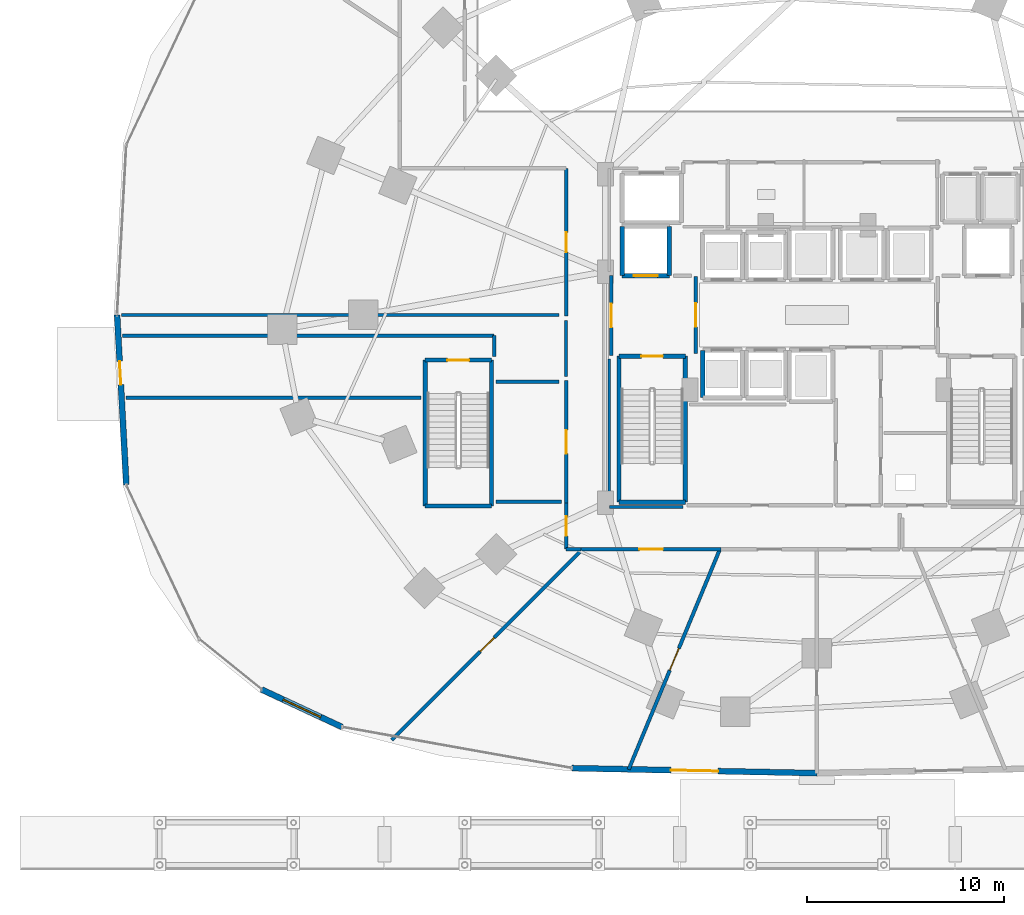
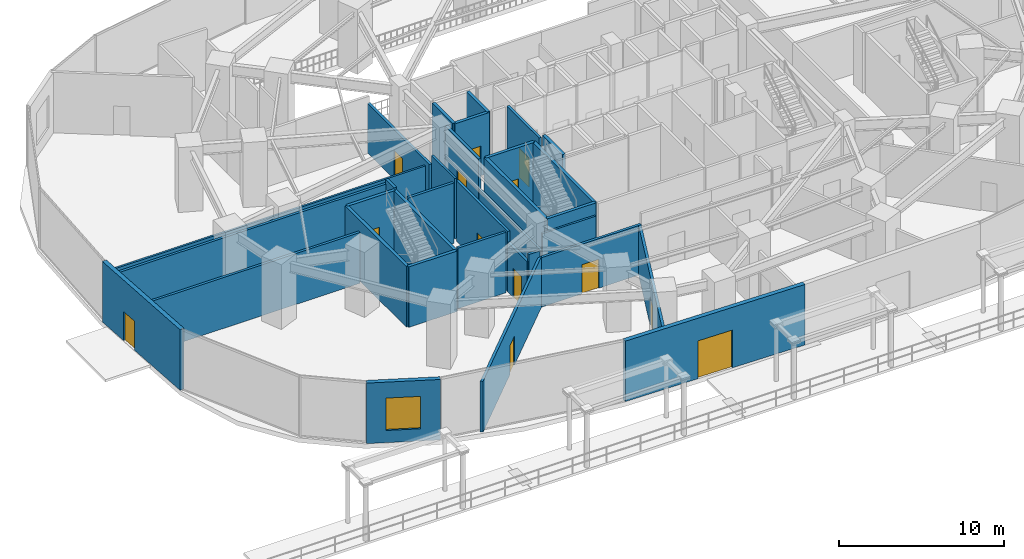
# One storey, part 26 of 36: 33 walls, 13 doors, 1 window, 14 openings.
"""IFC4 building model written with IfcOpenShell, lengths in metres."""

from ifc_helpers import new_model, si_unit, direction, frame, frame_2d, origin, place, context, subcontext, project, spatial, rectangle, extrude, material, layer, layer_set, type_object, element, fill, save


model = new_model("IFC4")

# Units and contexts
model_context = context("Model", 3, precision=1e-05, world=origin(), true_north=direction((0.0, 1.0)))
body_context = subcontext(model_context, "Body", "Model", "MODEL_VIEW")
ifc_project = project(units=[si_unit("LENGTHUNIT", "METRE"), si_unit("AREAUNIT", "SQUARE_METRE"), si_unit("VOLUMEUNIT", "CUBIC_METRE"), si_unit("PLANEANGLEUNIT", "RADIAN"), si_unit("MASSUNIT", "GRAM", prefix="KILO")], contexts=[model_context])

# Site, building, storey
site_placement = place(None, origin())
site = spatial("IfcSite", under=ifc_project, at=site_placement, CompositionType="ELEMENT")
building_placement = place(site_placement, origin())
building = spatial("IfcBuilding", under=site, at=building_placement, Name="Vorneva Point Tower", CompositionType="ELEMENT")
storey_placement = place(building_placement, origin())
storey = spatial("IfcBuildingStorey", under=building, at=storey_placement, Name="L00", CompositionType="ELEMENT", Elevation=0.0)

# Wall, opening, door
ifc_material_1 = material(Name="Concrete B60 (C50/60)", Category="concrete")
ifc_layer_1 = layer(ifc_material_1, 0.5)
ifc_layer_set_1 = layer_set([ifc_layer_1], Name="Concrete B60 (C50/60)")
wall_type_1 = type_object("IfcWallType", Name="WL-CORE-500", PredefinedType="SHEAR", material=ifc_layer_set_1)
wall_1_placement = place(storey_placement, frame((28.10009765625, 28.0, 0.0), z_axis=(0.0, 0.0, 1.0), x_axis=(1.0, 0.0, 0.0)))
wall_1 = element("IfcWall", 1, at=wall_1_placement, inside=storey, type_object=wall_type_1, Name="L00 Lift FFL1 Shaft Wall -Y", PredefinedType="SHEAR", context=body_context, shape_type="SweptSolid", body=[
    extrude(rectangle(XDim=2.39990234375, YDim=0.219970703125, at=frame_2d((1.199951171875, 0.0))), origin(), (0.0, 0.0, 1.0), 4.47998046875),
])
opening_1_placement = place(wall_1_placement, frame((0.60009765625, 0.0, 0.0)))
opening_1 = element("IfcOpeningElement", 2, at=opening_1_placement, cuts=wall_1, Name="Opening LD-02", PredefinedType="OPENING", context=body_context, shape_type="SweptSolid", body=[
    extrude(rectangle(XDim=1.199951171875, YDim=2.199951171875, at=frame_2d((0.60009765625, 1.10009765625))), frame((0.0, 0.125, 0.0), z_axis=(0.0, -1.0, 0.0), x_axis=(1.0, 0.0, 0.0)), (0.0, 0.0, 1.0), 0.249755859375),
])
ifc_material_2 = material(Name="Brushed stainless steel S304", Category="steel")
door_type_1 = type_object("IfcDoorType", Name="LD-FIRE-1200", OperationType="SLIDING_TO_LEFT", PredefinedType="DOOR", material=ifc_material_2)
door_1_placement = place(opening_1_placement, origin())
door_1 = element("IfcDoor", 3, at=door_1_placement, inside=storey, type_object=door_type_1, Name="L00 Lift FFL1 Sliding Landing Door", OperationType="SLIDING_TO_LEFT", OverallHeight=2.199951171875, OverallWidth=1.199951171875, PredefinedType="DOOR", context=body_context, shape_type="SweptSolid", body=[
    extrude(rectangle(XDim=1.199951171875, YDim=2.199951171875, at=frame_2d((0.60009765625, 1.10009765625))), frame((0.0, 0.02490234375, 0.0), z_axis=(0.0, -1.0, 0.0), x_axis=(1.0, 0.0, 0.0)), (0.0, 0.0, 1.0), 0.050048828125),
])
fill(opening_1, door_1)

# Walls
for number, where, z_axis, x_axis, name in (
    (4, (30.5, 28.0, 0.0), (0.0, 0.0, 1.0), (0.0, 1.0, 0.0), "L00 Lift FFL1 Shaft Wall +X"),
    (5, (28.10009765625, 30.5, 0.0), (0.0, 0.0, 1.0), (0.0, -1.0, 0.0), "L00 Lift FFL1 Shaft Wall -X"),
):
    element("IfcWall", number, at=place(storey_placement, frame(where, z_axis=z_axis, x_axis=x_axis)), inside=storey, type_object=wall_type_1, Name=name, PredefinedType="SHEAR", context=body_context, shape_type="SweptSolid", body=[
        extrude(rectangle(XDim=2.5, YDim=0.219970703125, at=frame_2d((1.25, 0.0))), origin(), (0.0, 0.0, 1.0), 4.47998046875),
    ])

# Wall, opening, door
ifc_material_3 = material(Name="Precast concrete B50 (C40/50)", Category="concrete")
ifc_layer_2 = layer(ifc_material_3, 0.300048828125)
ifc_layer_set_2 = layer_set([ifc_layer_2], Name="Precast concrete B50 (C40/50)")
wall_type_2 = type_object("IfcWallType", Name="WL-EXT-300", PredefinedType="STANDARD", material=ifc_layer_set_2)
wall_2_placement = place(storey_placement, frame((2.434326171875, 26.0, 0.0), z_axis=(0.0, 0.0, 1.0), x_axis=(0.054179266439, -0.998531224894, 0.0)))
wall_2 = element("IfcWall", 6, at=wall_2_placement, inside=storey, type_object=wall_type_2, Name="L00 Waterfront Facade Wall 17", PredefinedType="STANDARD", context=body_context, shape_type="SweptSolid", body=[
    extrude(rectangle(XDim=8.642822265625, YDim=0.300048828125, at=frame_2d((4.3212890625, 0.0))), origin(), (0.0, 0.0, 1.0), 4.47998046875),
])
opening_2_placement = place(wall_2_placement, frame((2.354248046875, 0.0, 0.0)))
opening_2 = element("IfcOpeningElement", 7, at=opening_2_placement, cuts=wall_2, Name="Opening ED-03", PredefinedType="OPENING", context=body_context, shape_type="SweptSolid", body=[
    extrude(rectangle(XDim=1.199951171875, YDim=2.14990234375, at=frame_2d((0.60009765625, 1.074951171875))), frame((0.0, 0.1650390625, 0.0), z_axis=(0.0, -1.0, 0.0), x_axis=(1.0, 0.0, 0.0)), (0.0, 0.0, 1.0), 0.329833984375),
])
ifc_material_4 = material(Name="Galvanised steel S355", Category="steel")
door_type_2 = type_object("IfcDoorType", Name="DR-EXT-1200", OperationType="SINGLE_SWING_LEFT", PredefinedType="DOOR", material=ifc_material_4)
door_2_placement = place(opening_2_placement, frame((1.199951171875, 0.0, 0.0), z_axis=(0.0, 0.0, 1.0), x_axis=(-1.0, 0.0, 0.0)))
door_2 = element("IfcDoor", 8, at=door_2_placement, inside=storey, type_object=door_type_2, Name="L00 Protected Stair Exit Discharge Door W", OperationType="SINGLE_SWING_LEFT", OverallHeight=2.14990234375, OverallWidth=1.199951171875, PredefinedType="DOOR", context=body_context, shape_type="SweptSolid", body=[
    extrude(rectangle(XDim=1.199951171875, YDim=2.14990234375, at=frame_2d((0.60009765625, 1.074951171875))), frame((0.0, 0.02490234375, 0.0), z_axis=(0.0, -1.0, 0.0), x_axis=(1.0, 0.0, 0.0)), (0.0, 0.0, 1.0), 0.050048828125),
])
fill(opening_2, door_2)

# Wall, opening, window
wall_3_placement = place(storey_placement, frame((9.7841796875, 6.964111328125, 0.0), z_axis=(0.0, 0.0, 1.0), x_axis=(0.90617069541, -0.422912131275, 0.0)))
wall_3 = element("IfcWall", 9, at=wall_3_placement, inside=storey, type_object=wall_type_2, Name="L00 Waterfront Facade Wall 21", PredefinedType="STANDARD", context=body_context, shape_type="SweptSolid", body=[
    extrude(rectangle(XDim=4.510986328125, YDim=0.300048828125, at=frame_2d((2.25537109375, 0.0))), origin(), (0.0, 0.0, 1.0), 4.47998046875),
])
opening_3_placement = place(wall_3_placement, frame((1.205322265625, 0.0, 0.89990234375)))
opening_3 = element("IfcOpeningElement", 10, at=opening_3_placement, cuts=wall_3, Name="Opening W-05", PredefinedType="OPENING", context=body_context, shape_type="SweptSolid", body=[
    extrude(rectangle(XDim=2.10009765625, YDim=2.39990234375, at=frame_2d((1.050048828125, 1.199951171875))), frame((0.0, 0.1650390625, 0.0), z_axis=(0.0, -1.0, 0.0), x_axis=(1.0, 0.0, 0.0)), (0.0, 0.0, 1.0), 0.329833984375),
])
ifc_material_5 = material(Name="Double low-e laminated glass IGU", Category="glass")
window_type = type_object("IfcWindowType", Name="WN-POD-2100", PartitioningType="SINGLE_PANEL", PredefinedType="WINDOW", material=ifc_material_5)
window_placement = place(opening_3_placement, origin())
window = element("IfcWindow", 11, at=window_placement, inside=storey, type_object=window_type, Name="L00 Waterfront Podium Window 21", OverallHeight=2.39990234375, OverallWidth=2.10009765625, PartitioningType="SINGLE_PANEL", PredefinedType="WINDOW", context=body_context, shape_type="SweptSolid", body=[
    extrude(rectangle(XDim=2.10009765625, YDim=2.39990234375, at=frame_2d((1.050048828125, 1.199951171875))), frame((0.0, 0.030029296875, 0.0), z_axis=(0.0, -1.0, 0.0), x_axis=(1.0, 0.0, 0.0)), (0.0, 0.0, 1.0), 0.06005859375),
])
fill(opening_3, window)

# Wall, opening, door
wall_4_placement = place(storey_placement, frame((25.5576171875, 2.968505859375, 0.0), z_axis=(0.0, 0.0, 1.0), x_axis=(0.999791851131, -0.020402313892, 0.0)))
wall_4 = element("IfcWall", 12, at=wall_4_placement, inside=storey, type_object=wall_type_2, Name="L00 Waterfront Facade Wall 24", PredefinedType="STANDARD", context=body_context, shape_type="SweptSolid", body=[
    extrude(rectangle(XDim=12.445068359375, YDim=0.300048828125, at=frame_2d((6.22265625, 0.0))), origin(), (0.0, 0.0, 1.0), 4.47998046875),
])
opening_4_placement = place(wall_4_placement, frame((5.0224609375, 0.0, 0.0)))
opening_4 = element("IfcOpeningElement", 13, at=opening_4_placement, cuts=wall_4, Name="Opening ED-01", PredefinedType="OPENING", context=body_context, shape_type="SweptSolid", body=[
    extrude(rectangle(XDim=2.39990234375, YDim=2.800048828125, at=frame_2d((1.199951171875, 1.39990234375))), frame((0.0, 0.1650390625, 0.0), z_axis=(0.0, -1.0, 0.0), x_axis=(1.0, 0.0, 0.0)), (0.0, 0.0, 1.0), 0.329833984375),
])
ifc_material_6 = material(Name="Pale anodised aluminium", Category="aluminium")
door_type_3 = type_object("IfcDoorType", Name="DR-ENT-2400", OperationType="DOUBLE_SWING_LEFT", PredefinedType="DOOR", material=ifc_material_6)
door_3_placement = place(opening_4_placement, frame((2.39990234375, 0.0, 0.0), z_axis=(0.0, 0.0, 1.0), x_axis=(-1.0, 0.0, 0.0)))
door_3 = element("IfcDoor", 14, at=door_3_placement, inside=storey, type_object=door_type_3, Name="L00 Main Waterfront Entrance Door 24", OperationType="DOUBLE_SWING_LEFT", OverallHeight=2.800048828125, OverallWidth=2.39990234375, PredefinedType="DOOR", context=body_context, shape_type="SweptSolid", body=[
    extrude(rectangle(XDim=2.39990234375, YDim=2.800048828125, at=frame_2d((1.199951171875, 1.39990234375))), frame((0.0, 0.02490234375, 0.0), z_axis=(0.0, -1.0, 0.0), x_axis=(1.0, 0.0, 0.0)), (0.0, 0.0, 1.0), 0.050048828125),
])
fill(opening_4, door_3)

# Walls
ifc_material_7 = material(Name="Fire-rated acoustic gypsum stud partition", Category="gypsum")
ifc_layer_3 = layer(ifc_material_7, 0.139892578125)
ifc_layer_set_3 = layer_set([ifc_layer_3], Name="Fire-rated acoustic gypsum stud partition")
wall_type_3 = type_object("IfcWallType", Name="WL-PART-140", PredefinedType="PARTITIONING", material=ifc_layer_set_3)
wall_5_placement = place(storey_placement, frame((25.25, 25.719970703125, 0.0), z_axis=(0.0, 0.0, 1.0), x_axis=(0.0, -1.0, 0.0)))
element("IfcWall", 15, at=wall_5_placement, inside=storey, type_object=wall_type_3, Name="L00 Interior Closure Partition 065", PredefinedType="PARTITIONING", context=body_context, shape_type="SweptSolid", body=[
    extrude(rectangle(XDim=2.840087890625, YDim=0.139892578125, at=frame_2d((1.419921875, 0.0))), origin(), (0.0, 0.0, 1.0), 4.47998046875),
])
wall_6_placement = place(storey_placement, frame((31.195068359375, 16.239990234375, 0.0), z_axis=(0.0, 0.0, 1.0), x_axis=(-1.0, 0.0, 0.0)))
element("IfcWall", 16, at=wall_6_placement, inside=storey, type_object=wall_type_3, Name="L00 Interior Closure Partition 066", PredefinedType="PARTITIONING", context=body_context, shape_type="SweptSolid", body=[
    extrude(rectangle(XDim=3.7451171875, YDim=0.139892578125, at=frame_2d((1.87255859375, 0.0))), origin(), (0.0, 0.0, 1.0), 3.672119140625),
])
wall_7_placement = place(storey_placement, frame((27.449951171875, 16.239990234375, 0.0), z_axis=(0.0, 0.0, 1.0), x_axis=(0.0, 1.0, 0.0)))
element("IfcWall", 17, at=wall_7_placement, inside=storey, type_object=wall_type_3, Name="L00 Interior Closure Partition 067", PredefinedType="PARTITIONING", context=body_context, shape_type="SweptSolid", body=[
    extrude(rectangle(XDim=7.513916015625, YDim=0.139892578125, at=frame_2d((3.7568359375, 0.0))), origin(), (0.0, 0.0, 1.0), 2.406005859375),
])
wall_8_placement = place(storey_placement, frame((2.655029296875, 26.0, 0.0), z_axis=(0.0, 0.0, 1.0), x_axis=(1.0, 0.0, 0.0)))
element("IfcWall", 18, at=wall_8_placement, inside=storey, type_object=wall_type_3, Name="L00 Interior Closure Partition 079", PredefinedType="PARTITIONING", context=body_context, shape_type="SweptSolid", body=[
    extrude(rectangle(XDim=22.242919921875, YDim=0.139892578125, at=frame_2d((11.12158203125, 0.0))), origin(), (0.0, 0.0, 1.0), 3.672119140625),
])

# Wall, opening, door
ifc_material_8 = material(Name="Autoclaved aerated concrete blockwork", Category="masonry")
ifc_layer_4 = layer(ifc_material_8, 0.179931640625)
ifc_layer_set_4 = layer_set([ifc_layer_4], Name="Autoclaved aerated concrete blockwork")
wall_type_4 = type_object("IfcWallType", Name="WL-PART-180", PredefinedType="PARTITIONING", material=ifc_layer_set_4)
wall_9_placement = place(storey_placement, frame((31.85009765625, 24.044921875, 0.0), z_axis=(0.0, 0.0, 1.0), x_axis=(0.0, 1.0, 0.0)))
wall_9 = element("IfcWall", 19, at=wall_9_placement, inside=storey, type_object=wall_type_4, Name="L00 Interior Partition 001", PredefinedType="PARTITIONING", context=body_context, shape_type="SweptSolid", body=[
    extrude(rectangle(XDim=3.91015625, YDim=0.179931640625, at=frame_2d((1.955078125, 0.0))), origin(), (0.0, 0.0, 1.0), 4.47998046875),
])
opening_5_placement = place(wall_9_placement, frame((1.35498046875, 0.0, 0.0)))
opening_5 = element("IfcOpeningElement", 20, at=opening_5_placement, cuts=wall_9, Name="Opening FD-02", PredefinedType="OPENING", context=body_context, shape_type="SweptSolid", body=[
    extrude(rectangle(XDim=1.199951171875, YDim=2.14990234375, at=frame_2d((0.60009765625, 1.074951171875))), frame((0.0, 0.10498046875, 0.0), z_axis=(0.0, -1.0, 0.0), x_axis=(1.0, 0.0, 0.0)), (0.0, 0.0, 1.0), 0.209716796875),
])
ifc_material_9 = material(Name="Fire-rated powder-coated steel", Category="steel")
door_type_4 = type_object("IfcDoorType", Name="DR-FFL-1200", OperationType="NOTDEFINED", PredefinedType="DOOR", material=ifc_material_9)
door_4_placement = place(opening_5_placement, origin())
door_4 = element("IfcDoor", 21, at=door_4_placement, inside=storey, type_object=door_type_4, Name="L00 Door West Firefighting Lobby / Central Lift Lobby", OperationType="SINGLE_SWING_LEFT", OverallHeight=2.14990234375, OverallWidth=1.199951171875, PredefinedType="DOOR", context=body_context, shape_type="SweptSolid", body=[
    extrude(rectangle(XDim=1.199951171875, YDim=2.14990234375, at=frame_2d((0.60009765625, 1.074951171875))), frame((0.0, 0.02490234375, 0.0), z_axis=(0.0, -1.0, 0.0), x_axis=(1.0, 0.0, 0.0)), (0.0, 0.0, 1.0), 0.050048828125),
])
fill(opening_5, door_4)

wall_10_placement = place(storey_placement, frame((27.550048828125, 28.0, 0.0), z_axis=(0.0, 0.0, 1.0), x_axis=(0.0, -1.0, 0.0)))
wall_10 = element("IfcWall", 22, at=wall_10_placement, inside=storey, type_object=wall_type_4, Name="L00 Interior Partition 002", PredefinedType="PARTITIONING", context=body_context, shape_type="SweptSolid", body=[
    extrude(rectangle(XDim=4.050048828125, YDim=0.179931640625, at=frame_2d((2.02490234375, 0.0))), origin(), (0.0, 0.0, 1.0), 4.47998046875),
])
opening_6_placement = place(wall_10_placement, frame((1.425048828125, 0.0, 0.0)))
opening_6 = element("IfcOpeningElement", 23, at=opening_6_placement, cuts=wall_10, Name="Opening FD-02", PredefinedType="OPENING", context=body_context, shape_type="SweptSolid", body=[
    extrude(rectangle(XDim=1.199951171875, YDim=2.14990234375, at=frame_2d((0.60009765625, 1.074951171875))), frame((0.0, 0.10498046875, 0.0), z_axis=(0.0, -1.0, 0.0), x_axis=(1.0, 0.0, 0.0)), (0.0, 0.0, 1.0), 0.209716796875),
])
door_5_placement = place(opening_6_placement, origin())
door_5 = element("IfcDoor", 24, at=door_5_placement, inside=storey, type_object=door_type_4, Name="L00 Door West Firefighting Lobby / L00 Circulation Corridor", OperationType="SINGLE_SWING_RIGHT", OverallHeight=2.14990234375, OverallWidth=1.199951171875, PredefinedType="DOOR", context=body_context, shape_type="SweptSolid", body=[
    extrude(rectangle(XDim=1.199951171875, YDim=2.14990234375, at=frame_2d((0.60009765625, 1.074951171875))), frame((0.0, 0.02490234375, 0.0), z_axis=(0.0, -1.0, 0.0), x_axis=(1.0, 0.0, 0.0)), (0.0, 0.0, 1.0), 0.050048828125),
])
fill(opening_6, door_5)

wall_11_placement = place(storey_placement, frame((25.25, 22.659912109375, 0.0), z_axis=(0.0, 0.0, 1.0), x_axis=(0.0, -1.0, 0.0)))
wall_11 = element("IfcWall", 25, at=wall_11_placement, inside=storey, type_object=wall_type_4, Name="L00 Interior Partition 022", PredefinedType="PARTITIONING", context=body_context, shape_type="SweptSolid", body=[
    extrude(rectangle(XDim=6.219970703125, YDim=0.179931640625, at=frame_2d((3.10986328125, 0.0))), origin(), (0.0, 0.0, 1.0), 4.47998046875),
])
opening_7_placement = place(wall_11_placement, frame((2.510009765625, 0.0, 0.0)))
opening_7 = element("IfcOpeningElement", 26, at=opening_7_placement, cuts=wall_11, Name="Opening FD-02", PredefinedType="OPENING", context=body_context, shape_type="SweptSolid", body=[
    extrude(rectangle(XDim=1.199951171875, YDim=2.14990234375, at=frame_2d((0.60009765625, 1.074951171875))), frame((0.0, 0.10498046875, 0.0), z_axis=(0.0, -1.0, 0.0), x_axis=(1.0, 0.0, 0.0)), (0.0, 0.0, 1.0), 0.209716796875),
])
door_6_placement = place(opening_7_placement, origin())
door_6 = element("IfcDoor", 27, at=door_6_placement, inside=storey, type_object=door_type_4, Name="L00 Door L00 Circulation Corridor / Fire Command Room", OperationType="SINGLE_SWING_RIGHT", OverallHeight=2.14990234375, OverallWidth=1.199951171875, PredefinedType="DOOR", context=body_context, shape_type="SweptSolid", body=[
    extrude(rectangle(XDim=1.199951171875, YDim=2.14990234375, at=frame_2d((0.60009765625, 1.074951171875))), frame((0.0, 0.02490234375, 0.0), z_axis=(0.0, -1.0, 0.0), x_axis=(1.0, 0.0, 0.0)), (0.0, 0.0, 1.0), 0.050048828125),
])
fill(opening_7, door_6)

wall_12_placement = place(storey_placement, frame((26.014892578125, 14.10009765625, 0.0), z_axis=(0.0, 0.0, 1.0), x_axis=(1.0, 0.0, 0.0)))
wall_12 = element("IfcWall", 28, at=wall_12_placement, inside=storey, type_object=wall_type_4, Name="L00 Interior Partition 023", PredefinedType="PARTITIONING", context=body_context, shape_type="SweptSolid", body=[
    extrude(rectangle(XDim=7.1162109375, YDim=0.179931640625, at=frame_2d((3.55810546875, 0.0))), origin(), (0.0, 0.0, 1.0), 3.672119140625),
])
opening_8_placement = place(wall_12_placement, frame((2.9580078125, 0.0, 0.0)))
opening_8 = element("IfcOpeningElement", 29, at=opening_8_placement, cuts=wall_12, Name="Opening FD-02", PredefinedType="OPENING", context=body_context, shape_type="SweptSolid", body=[
    extrude(rectangle(XDim=1.199951171875, YDim=2.14990234375, at=frame_2d((0.60009765625, 1.074951171875))), frame((0.0, 0.10498046875, 0.0), z_axis=(0.0, -1.0, 0.0), x_axis=(1.0, 0.0, 0.0)), (0.0, 0.0, 1.0), 0.209716796875),
])
door_7_placement = place(opening_8_placement, origin())
door_7 = element("IfcDoor", 30, at=door_7_placement, inside=storey, type_object=door_type_4, Name="L00 Door L00 Circulation Corridor / Waterfront Reception Gallery West", OperationType="SINGLE_SWING_LEFT", OverallHeight=2.14990234375, OverallWidth=1.199951171875, PredefinedType="DOOR", context=body_context, shape_type="SweptSolid", body=[
    extrude(rectangle(XDim=1.199951171875, YDim=2.14990234375, at=frame_2d((0.60009765625, 1.074951171875))), frame((0.0, 0.02490234375, 0.0), z_axis=(0.0, -1.0, 0.0), x_axis=(1.0, 0.0, 0.0)), (0.0, 0.0, 1.0), 0.050048828125),
])
fill(opening_8, door_7)

wall_13_placement = place(storey_placement, frame((25.25, 33.449951171875, 0.0), z_axis=(0.0, 0.0, 1.0), x_axis=(0.0, -1.0, 0.0)))
wall_13 = element("IfcWall", 31, at=wall_13_placement, inside=storey, type_object=wall_type_4, Name="L00 Interior Partition 041", PredefinedType="PARTITIONING", context=body_context, shape_type="SweptSolid", body=[
    extrude(rectangle(XDim=7.510009765625, YDim=0.179931640625, at=frame_2d((3.7548828125, 0.0))), origin(), (0.0, 0.0, 1.0), 3.672119140625),
])
opening_9_placement = place(wall_13_placement, frame((3.2548828125, 0.0, 0.0)))
opening_9 = element("IfcOpeningElement", 32, at=opening_9_placement, cuts=wall_13, Name="Opening UD-01", PredefinedType="OPENING", context=body_context, shape_type="SweptSolid", body=[
    extrude(rectangle(XDim=1.0, YDim=2.14990234375, at=frame_2d((0.5, 1.074951171875))), frame((0.0, 0.10498046875, 0.0), z_axis=(0.0, -1.0, 0.0), x_axis=(1.0, 0.0, 0.0)), (0.0, 0.0, 1.0), 0.209716796875),
])
ifc_material_10 = material(Name="Engineered oak fire-rated door leaf", Category="wood")
door_type_5 = type_object("IfcDoorType", Name="DR-UNIT-1000", OperationType="NOTDEFINED", PredefinedType="DOOR", material=ifc_material_10)
door_8_placement = place(opening_9_placement, origin())
door_8 = element("IfcDoor", 33, at=door_8_placement, inside=storey, type_object=door_type_5, Name="L00 Door L00 Circulation Corridor / Retail Shop West", OperationType="SINGLE_SWING_RIGHT", OverallHeight=2.14990234375, OverallWidth=1.0, PredefinedType="DOOR", context=body_context, shape_type="SweptSolid", body=[
    extrude(rectangle(XDim=1.0, YDim=2.14990234375, at=frame_2d((0.5, 1.074951171875))), frame((0.0, 0.02490234375, 0.0), z_axis=(0.0, -1.0, 0.0), x_axis=(1.0, 0.0, 0.0)), (0.0, 0.0, 1.0), 0.050048828125),
])
fill(opening_9, door_8)

wall_14_placement = place(storey_placement, frame((25.25, 16.43994140625, 0.0), z_axis=(0.0, 0.0, 1.0), x_axis=(0.0, -1.0, 0.0)))
wall_14 = element("IfcWall", 34, at=wall_14_placement, inside=storey, type_object=wall_type_4, Name="L00 Interior Partition 042", PredefinedType="PARTITIONING", context=body_context, shape_type="SweptSolid", body=[
    extrude(rectangle(XDim=2.33984375, YDim=0.179931640625, at=frame_2d((1.169921875, 0.0))), origin(), (0.0, 0.0, 1.0), 3.672119140625),
])
opening_10_placement = place(wall_14_placement, frame((0.669921875, 0.0, 0.0)))
opening_10 = element("IfcOpeningElement", 35, at=opening_10_placement, cuts=wall_14, Name="Opening UD-01", PredefinedType="OPENING", context=body_context, shape_type="SweptSolid", body=[
    extrude(rectangle(XDim=1.0, YDim=2.14990234375, at=frame_2d((0.5, 1.074951171875))), frame((0.0, 0.10498046875, 0.0), z_axis=(0.0, -1.0, 0.0), x_axis=(1.0, 0.0, 0.0)), (0.0, 0.0, 1.0), 0.209716796875),
])
door_9_placement = place(opening_10_placement, origin())
door_9 = element("IfcDoor", 36, at=door_9_placement, inside=storey, type_object=door_type_5, Name="L00 Door L00 Circulation Corridor / Concierge and Security Suite", OperationType="SINGLE_SWING_LEFT", OverallHeight=2.14990234375, OverallWidth=1.0, PredefinedType="DOOR", context=body_context, shape_type="SweptSolid", body=[
    extrude(rectangle(XDim=1.0, YDim=2.14990234375, at=frame_2d((0.5, 1.074951171875))), frame((0.0, 0.02490234375, 0.0), z_axis=(0.0, -1.0, 0.0), x_axis=(1.0, 0.0, 0.0)), (0.0, 0.0, 1.0), 0.050048828125),
])
fill(opening_10, door_9)

# Wall
wall_15_placement = place(storey_placement, frame((25.25, 14.10009765625, 0.0), z_axis=(0.0, 0.0, 1.0), x_axis=(1.0, 0.0, 0.0)))
element("IfcWall", 37, at=wall_15_placement, inside=storey, type_object=wall_type_4, Name="L00 Interior Partition 043", PredefinedType="PARTITIONING", context=body_context, shape_type="SweptSolid", body=[
    extrude(rectangle(XDim=0.764892578125, YDim=0.179931640625, at=frame_2d((0.38232421875, 0.0))), origin(), (0.0, 0.0, 1.0), 4.2119140625),
])

# Wall, opening, door
wall_16_placement = place(storey_placement, frame((28.43310546875, 2.903076171875, 0.0), z_axis=(0.0, 0.0, 1.0), x_axis=(0.382682115092, 0.923880078142, 0.0)))
wall_16 = element("IfcWall", 38, at=wall_16_placement, inside=storey, type_object=wall_type_4, Name="L00 Interior Partition 044", PredefinedType="PARTITIONING", context=body_context, shape_type="SweptSolid", body=[
    extrude(rectangle(XDim=12.11962890625, YDim=0.179931640625, at=frame_2d((6.059814453125, 0.0))), origin(), (0.0, 0.0, 1.0), 3.672119140625),
])
opening_11_placement = place(wall_16_placement, frame((5.459716796875, 0.0, 0.0)))
opening_11 = element("IfcOpeningElement", 39, at=opening_11_placement, cuts=wall_16, Name="Opening FD-02", PredefinedType="OPENING", context=body_context, shape_type="SweptSolid", body=[
    extrude(rectangle(XDim=1.199951171875, YDim=2.14990234375, at=frame_2d((0.60009765625, 1.074951171875))), frame((0.0, 0.10498046875, 0.0), z_axis=(0.0, -1.0, 0.0), x_axis=(1.0, 0.0, 0.0)), (0.0, 0.0, 1.0), 0.209716796875),
])
door_10_placement = place(opening_11_placement, origin())
door_10 = element("IfcDoor", 40, at=door_10_placement, inside=storey, type_object=door_type_4, Name="L00 Door Waterfront Reception Gallery West / Main Waterfront Entrance Lobby", OperationType="SINGLE_SWING_RIGHT", OverallHeight=2.14990234375, OverallWidth=1.199951171875, PredefinedType="DOOR", context=body_context, shape_type="SweptSolid", body=[
    extrude(rectangle(XDim=1.199951171875, YDim=2.14990234375, at=frame_2d((0.60009765625, 1.074951171875))), frame((0.0, 0.02490234375, 0.0), z_axis=(0.0, -1.0, 0.0), x_axis=(1.0, 0.0, 0.0)), (0.0, 0.0, 1.0), 0.050048828125),
])
fill(opening_11, door_10)

wall_17_placement = place(storey_placement, frame((26.10009765625, 14.10009765625, 0.0), z_axis=(0.0, 0.0, 1.0), x_axis=(-0.707106781187, -0.707106781187, 0.0)))
wall_17 = element("IfcWall", 41, at=wall_17_placement, inside=storey, type_object=wall_type_4, Name="L00 Interior Partition 045", PredefinedType="PARTITIONING", context=body_context, shape_type="SweptSolid", body=[
    extrude(rectangle(XDim=13.73046875, YDim=0.179931640625, at=frame_2d((6.865234375, 0.0))), origin(), (0.0, 0.0, 1.0), 3.76904296875),
])
opening_12_placement = place(wall_17_placement, frame((6.365234375, 0.0, 0.0)))
opening_12 = element("IfcOpeningElement", 42, at=opening_12_placement, cuts=wall_17, Name="Opening UD-01", PredefinedType="OPENING", context=body_context, shape_type="SweptSolid", body=[
    extrude(rectangle(XDim=1.0, YDim=2.14990234375, at=frame_2d((0.5, 1.074951171875))), frame((0.0, 0.10498046875, 0.0), z_axis=(0.0, -1.0, 0.0), x_axis=(1.0, 0.0, 0.0)), (0.0, 0.0, 1.0), 0.209716796875),
])
door_11_placement = place(opening_12_placement, origin())
door_11 = element("IfcDoor", 43, at=door_11_placement, inside=storey, type_object=door_type_5, Name="L00 Door Waterfront Reception Gallery West / Concierge and Security Suite", OperationType="SINGLE_SWING_LEFT", OverallHeight=2.14990234375, OverallWidth=1.0, PredefinedType="DOOR", context=body_context, shape_type="SweptSolid", body=[
    extrude(rectangle(XDim=1.0, YDim=2.14990234375, at=frame_2d((0.5, 1.074951171875))), frame((0.0, 0.02490234375, 0.0), z_axis=(0.0, -1.0, 0.0), x_axis=(1.0, 0.0, 0.0)), (0.0, 0.0, 1.0), 0.050048828125),
])
fill(opening_12, door_11)

# Walls
wall_18_placement = place(storey_placement, frame((21.60009765625, 23.8798828125, 0.0), z_axis=(0.0, 0.0, 1.0), x_axis=(0.0, 1.0, 0.0)))
element("IfcWall", 44, at=wall_18_placement, inside=storey, type_object=wall_type_4, Name="L00 Interior Closure Partition 071", PredefinedType="PARTITIONING", context=body_context, shape_type="SweptSolid", body=[
    extrude(rectangle(XDim=1.070068359375, YDim=0.179931640625, at=frame_2d((0.53515625, 0.0))), origin(), (0.0, 0.0, 1.0), 4.47998046875),
])
wall_19_placement = place(storey_placement, frame((21.60009765625, 24.949951171875, 0.0), z_axis=(0.0, 0.0, 1.0), x_axis=(-1.0, 0.0, 0.0)))
element("IfcWall", 45, at=wall_19_placement, inside=storey, type_object=wall_type_4, Name="L00 Interior Closure Partition 072", PredefinedType="PARTITIONING", context=body_context, shape_type="SweptSolid", body=[
    extrude(rectangle(XDim=18.88818359375, YDim=0.179931640625, at=frame_2d((9.444091796875, 0.0))), origin(), (0.0, 0.0, 1.0), 4.162109375),
])
wall_20_placement = place(storey_placement, frame((2.883056640625, 21.800048828125, 0.0), z_axis=(0.0, 0.0, 1.0), x_axis=(1.0, 0.0, 0.0)))
element("IfcWall", 46, at=wall_20_placement, inside=storey, type_object=wall_type_4, Name="L00 Interior Closure Partition 073", PredefinedType="PARTITIONING", context=body_context, shape_type="SweptSolid", body=[
    extrude(rectangle(XDim=14.987060546875, YDim=0.179931640625, at=frame_2d((7.49365234375, 0.0))), origin(), (0.0, 0.0, 1.0), 3.76904296875),
])
wall_21_placement = place(storey_placement, frame((21.679931640625, 16.5, 0.0), z_axis=(0.0, 0.0, 1.0), x_axis=(1.0, 0.0, 0.0)))
element("IfcWall", 47, at=wall_21_placement, inside=storey, type_object=wall_type_4, Name="L00 Interior Closure Partition 077", PredefinedType="PARTITIONING", context=body_context, shape_type="SweptSolid", body=[
    extrude(rectangle(XDim=3.35009765625, YDim=0.179931640625, at=frame_2d((1.675048828125, 0.0))), origin(), (0.0, 0.0, 1.0), 4.47998046875),
])
wall_22_placement = place(storey_placement, frame((24.89794921875, 22.60009765625, 0.0), z_axis=(0.0, 0.0, 1.0), x_axis=(-1.0, 0.0, 0.0)))
element("IfcWall", 48, at=wall_22_placement, inside=storey, type_object=wall_type_4, Name="L00 Interior Closure Partition 078", PredefinedType="PARTITIONING", context=body_context, shape_type="SweptSolid", body=[
    extrude(rectangle(XDim=3.218017578125, YDim=0.179931640625, at=frame_2d((1.60888671875, 0.0))), origin(), (0.0, 0.0, 1.0), 4.47998046875),
])

# Wall, opening, door
ifc_material_11 = material(Name="Concrete B50 (C40/50)", Category="concrete")
ifc_layer_5 = layer(ifc_material_11, 0.219970703125)
ifc_layer_set_5 = layer_set([ifc_layer_5], Name="Concrete B50 (C40/50)")
wall_type_5 = type_object("IfcWallType", Name="WL-SHFT-220", PredefinedType="SOLIDWALL", material=ifc_layer_set_5)
wall_23_placement = place(storey_placement, frame((27.93994140625, 23.909912109375, 0.0), z_axis=(0.0, 0.0, 1.0), x_axis=(1.0, 0.0, 0.0)))
wall_23 = element("IfcWall", 49, at=wall_23_placement, inside=storey, type_object=wall_type_5, Name="L00 Exit Stair ST1 Shaft Wall near", PredefinedType="SOLIDWALL", context=body_context, shape_type="SweptSolid", body=[
    extrude(rectangle(XDim=3.3701171875, YDim=0.219970703125, at=frame_2d((1.68505859375, 0.0))), origin(), (0.0, 0.0, 1.0), 4.47998046875),
])
opening_13_placement = place(wall_23_placement, frame((1.135009765625, 0.0, 0.0)))
opening_13 = element("IfcOpeningElement", 50, at=opening_13_placement, cuts=wall_23, Name="Opening FD-01", PredefinedType="OPENING", context=body_context, shape_type="SweptSolid", body=[
    extrude(rectangle(XDim=1.10009765625, YDim=2.14990234375, at=frame_2d((0.550048828125, 1.074951171875))), frame((0.0, 0.125, 0.0), z_axis=(0.0, -1.0, 0.0), x_axis=(1.0, 0.0, 0.0)), (0.0, 0.0, 1.0), 0.249755859375),
])
door_type_6 = type_object("IfcDoorType", Name="DR-STAIR-1100", OperationType="NOTDEFINED", PredefinedType="DOOR", material=ifc_material_9)
door_12_placement = place(opening_13_placement, origin())
door_12 = element("IfcDoor", 51, at=door_12_placement, inside=storey, type_object=door_type_6, Name="L00 Exit Stair ST1 Fire Door", OperationType="SINGLE_SWING_RIGHT", OverallHeight=2.14990234375, OverallWidth=1.10009765625, PredefinedType="DOOR", context=body_context, shape_type="SweptSolid", body=[
    extrude(rectangle(XDim=1.10009765625, YDim=2.14990234375, at=frame_2d((0.550048828125, 1.074951171875))), frame((0.0, 0.02490234375, 0.0), z_axis=(0.0, -1.0, 0.0), x_axis=(1.0, 0.0, 0.0)), (0.0, 0.0, 1.0), 0.050048828125),
])
fill(opening_13, door_12)

# Walls
wall_24_placement = place(storey_placement, frame((31.31005859375, 23.909912109375, 0.0), z_axis=(0.0, 0.0, 1.0), x_axis=(0.0, -1.0, 0.0)))
element("IfcWall", 52, at=wall_24_placement, inside=storey, type_object=wall_type_5, Name="L00 Exit Stair ST1 Shaft Wall right", PredefinedType="SOLIDWALL", context=body_context, shape_type="SweptSolid", body=[
    extrude(rectangle(XDim=7.419921875, YDim=0.219970703125, at=frame_2d((3.7099609375, 0.0))), origin(), (0.0, 0.0, 1.0), 4.47998046875),
])
wall_25_placement = place(storey_placement, frame((31.31005859375, 16.489990234375, 0.0), z_axis=(0.0, 0.0, 1.0), x_axis=(-1.0, 0.0, 0.0)))
element("IfcWall", 53, at=wall_25_placement, inside=storey, type_object=wall_type_5, Name="L00 Exit Stair ST1 Shaft Wall far", PredefinedType="SOLIDWALL", context=body_context, shape_type="SweptSolid", body=[
    extrude(rectangle(XDim=3.3701171875, YDim=0.219970703125, at=frame_2d((1.68505859375, 0.0))), origin(), (0.0, 0.0, 1.0), 4.47998046875),
])
wall_26_placement = place(storey_placement, frame((27.93994140625, 16.489990234375, 0.0), z_axis=(0.0, 0.0, 1.0), x_axis=(0.0, 1.0, 0.0)))
element("IfcWall", 54, at=wall_26_placement, inside=storey, type_object=wall_type_5, Name="L00 Exit Stair ST1 Shaft Wall left", PredefinedType="SOLIDWALL", context=body_context, shape_type="SweptSolid", body=[
    extrude(rectangle(XDim=7.419921875, YDim=0.219970703125, at=frame_2d((3.7099609375, 0.0))), origin(), (0.0, 0.0, 1.0), 4.47998046875),
])

# Wall, opening, door
wall_27_placement = place(storey_placement, frame((18.090087890625, 23.7099609375, 0.0), z_axis=(0.0, 0.0, 1.0), x_axis=(1.0, 0.0, 0.0)))
wall_27 = element("IfcWall", 55, at=wall_27_placement, inside=storey, type_object=wall_type_5, Name="L00 Exit Stair ST3 Shaft Wall near", PredefinedType="SOLIDWALL", context=body_context, shape_type="SweptSolid", body=[
    extrude(rectangle(XDim=3.369873046875, YDim=0.219970703125, at=frame_2d((1.68505859375, 0.0))), origin(), (0.0, 0.0, 1.0), 4.47998046875),
])
opening_14_placement = place(wall_27_placement, frame((1.135009765625, 0.0, 0.0)))
opening_14 = element("IfcOpeningElement", 56, at=opening_14_placement, cuts=wall_27, Name="Opening FD-01", PredefinedType="OPENING", context=body_context, shape_type="SweptSolid", body=[
    extrude(rectangle(XDim=1.10009765625, YDim=2.14990234375, at=frame_2d((0.550048828125, 1.074951171875))), frame((0.0, 0.125, 0.0), z_axis=(0.0, -1.0, 0.0), x_axis=(1.0, 0.0, 0.0)), (0.0, 0.0, 1.0), 0.249755859375),
])
door_13_placement = place(opening_14_placement, origin())
door_13 = element("IfcDoor", 57, at=door_13_placement, inside=storey, type_object=door_type_6, Name="L00 Exit Stair ST3 Fire Door", OperationType="SINGLE_SWING_RIGHT", OverallHeight=2.14990234375, OverallWidth=1.10009765625, PredefinedType="DOOR", context=body_context, shape_type="SweptSolid", body=[
    extrude(rectangle(XDim=1.10009765625, YDim=2.14990234375, at=frame_2d((0.550048828125, 1.074951171875))), frame((0.0, 0.02490234375, 0.0), z_axis=(0.0, -1.0, 0.0), x_axis=(1.0, 0.0, 0.0)), (0.0, 0.0, 1.0), 0.050048828125),
])
fill(opening_14, door_13)

# Walls
wall_28_placement = place(storey_placement, frame((21.4599609375, 23.7099609375, 0.0), z_axis=(0.0, 0.0, 1.0), x_axis=(0.0, -1.0, 0.0)))
element("IfcWall", 58, at=wall_28_placement, inside=storey, type_object=wall_type_5, Name="L00 Exit Stair ST3 Shaft Wall right", PredefinedType="SOLIDWALL", context=body_context, shape_type="SweptSolid", body=[
    extrude(rectangle(XDim=7.419921875, YDim=0.219970703125, at=frame_2d((3.7099609375, 0.0))), origin(), (0.0, 0.0, 1.0), 4.47998046875),
])
wall_29_placement = place(storey_placement, frame((21.4599609375, 16.2900390625, 0.0), z_axis=(0.0, 0.0, 1.0), x_axis=(-1.0, 0.0, 0.0)))
element("IfcWall", 59, at=wall_29_placement, inside=storey, type_object=wall_type_5, Name="L00 Exit Stair ST3 Shaft Wall far", PredefinedType="SOLIDWALL", context=body_context, shape_type="SweptSolid", body=[
    extrude(rectangle(XDim=3.369873046875, YDim=0.219970703125, at=frame_2d((1.68505859375, 0.0))), origin(), (0.0, 0.0, 1.0), 4.47998046875),
])
wall_30_placement = place(storey_placement, frame((18.090087890625, 16.2900390625, 0.0), z_axis=(0.0, 0.0, 1.0), x_axis=(0.0, 1.0, 0.0)))
element("IfcWall", 60, at=wall_30_placement, inside=storey, type_object=wall_type_5, Name="L00 Exit Stair ST3 Shaft Wall left", PredefinedType="SOLIDWALL", context=body_context, shape_type="SweptSolid", body=[
    extrude(rectangle(XDim=7.419921875, YDim=0.219970703125, at=frame_2d((3.7099609375, 0.0))), origin(), (0.0, 0.0, 1.0), 4.47998046875),
])
wall_31_placement = place(storey_placement, frame((32.199951171875, 24.199951171875, 0.0), z_axis=(0.0, 0.0, 1.0), x_axis=(0.0, -1.0, 0.0)))
element("IfcWall", 61, at=wall_31_placement, inside=storey, type_object=wall_type_5, Name="L00 Lift PL4 Shaft Wall -X", PredefinedType="SOLIDWALL", context=body_context, shape_type="SweptSolid", body=[
    extrude(rectangle(XDim=2.39990234375, YDim=0.219970703125, at=frame_2d((1.199951171875, 0.0))), origin(), (0.0, 0.0, 1.0), 4.47998046875),
])

save(model, "model.ifc")
